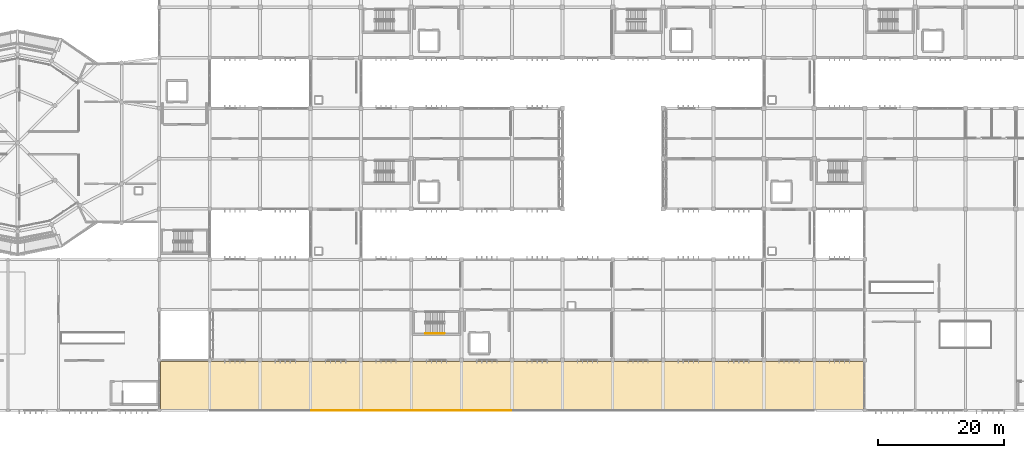
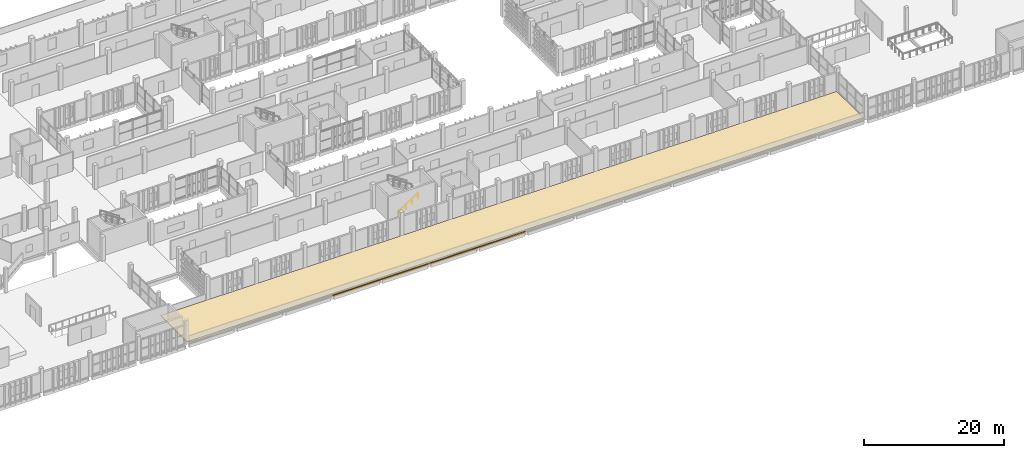
# One storey, part 130 of 137: 3 coverings, 1 railing.
"""IFC4 building model written with IfcOpenShell, lengths in metres."""

from ifc_helpers import new_model, si_unit, direction, frame, origin, origin_2d, place, context, subcontext, project, spatial, polyline, rectangle, circle, outline, extrude, material, layer, layer_set, type_object, element, save


model = new_model("IFC4")

# Units and contexts
model_context = context("Model", 3, precision=1e-05, world=origin(), true_north=direction((0.0, 1.0)))
body_context = subcontext(model_context, "Body", "Model", "MODEL_VIEW")
ifc_project = project(units=[si_unit("LENGTHUNIT", "METRE"), si_unit("AREAUNIT", "SQUARE_METRE"), si_unit("VOLUMEUNIT", "CUBIC_METRE"), si_unit("PLANEANGLEUNIT", "RADIAN"), si_unit("MASSUNIT", "GRAM", prefix="KILO")], contexts=[model_context])

# Site, building, storey
site_placement = place(None, origin())
site = spatial("IfcSite", under=ifc_project, at=site_placement, CompositionType="ELEMENT")
building_placement = place(site_placement, origin())
building = spatial("IfcBuilding", under=site, at=building_placement, Name="Jelvoka-Kovrelna Polytechnic", CompositionType="ELEMENT")
storey_placement = place(building_placement, frame((0.0, 0.0, 9.60009765625)))
storey = spatial("IfcBuildingStorey", under=building, at=storey_placement, Name="L03", CompositionType="ELEMENT", Elevation=9.60009765625)

# Coverings
ifc_material_1 = material(Name="Anodised aluminium architectural fascia cladding", Category="aluminium")
ifc_layer_1 = layer(ifc_material_1, 0.0400390625)
ifc_layer_set_1 = layer_set([ifc_layer_1], Name="Anodised aluminium architectural fascia cladding")
covering_type_1 = type_object("IfcCoveringType", Name="Covering_Fascia_Cladding_40", PredefinedType="CLADDING", material=ifc_layer_set_1)
for number, where, z_axis, x_axis, name in (
    (1, (80.0, 0.0, -0.205078125), (0.0, 0.0, 1.0), (1.0, 0.0, 0.0), "L03 colonnade eave anodised fascia cladding 02"),
    (2, (96.0, 0.0, -0.205078125), (0.0, 0.0, 1.0), (1.0, 0.0, 0.0), "L03 colonnade eave anodised fascia cladding 03"),
):
    element("IfcCovering", number, at=place(storey_placement, frame(where, z_axis=z_axis, x_axis=x_axis)), inside=storey, type_object=covering_type_1, Name=name, PredefinedType="CLADDING", context=body_context, shape_type="SweptSolid", body=[
        extrude(rectangle(XDim=15.800048828125, YDim=0.0400390625, at=origin_2d()), origin(), (0.0, 0.0, 1.0), 0.219970703125),
    ])
ifc_material_2 = material(Name="Insulated elastomeric waterproofing membrane")
ifc_layer_2 = layer(ifc_material_2, 0.080078125)
ifc_layer_set_2 = layer_set([ifc_layer_2], Name="Insulated elastomeric waterproofing membrane")
covering_type_2 = type_object("IfcCoveringType", Name="Covering_Roof_Membrane_80", PredefinedType="ROOFING", material=ifc_layer_set_2)
covering_placement = place(storey_placement, origin())
element("IfcCovering", 3, at=covering_placement, inside=storey, type_object=covering_type_2, Name="L03 insulated roof membrane COV-ROOF-L03-V6S", PredefinedType="ROOFING", context=body_context, shape_type="SweptSolid", body=[
    extrude(outline(polyline([(48.199951171875, 0.199951171875), (159.800048828125, 0.199951171875), (159.800048828125, 7.800048828125), (48.199951171875, 7.800048828125), (48.199951171875, 0.199951171875)])), origin(), (0.0, 0.0, 1.0), 0.079833984375),
])

# Railing
ifc_material_3 = material(Name="Brushed stainless steel handrail", Category="steel")
railing_type = type_object("IfcRailingType", Name="Railing_Stair_Handrail_900", PredefinedType="HANDRAIL", material=ifc_material_3)
railing_placement = place(storey_placement, frame((90.25, 12.25, 0.1748046875)))
element("IfcRailing", 4, at=railing_placement, inside=storey, type_object=railing_type, Name="L03 ST06 stair handrail 1", PredefinedType="HANDRAIL", context=body_context, shape_type="SweptSolid", body=[
    extrude(circle(Radius=0.02392578125, at=origin_2d()), frame((0.0, 0.0, 0.8759765625), z_axis=(0.84364746871, 0.0, 0.536897521451), x_axis=(0.0, 1.0, 0.0)), (0.0, 0.0, 1.0), 3.58544921875),
    extrude(circle(Radius=0.02099609375, at=origin_2d()), origin(), (0.0, 0.0, 1.0), 0.851806640625),
    extrude(circle(Radius=0.02099609375, at=origin_2d()), frame((1.00830078125, 0.0, 0.6416015625)), (0.0, 0.0, 1.0), 0.851806640625),
    extrude(circle(Radius=0.02099609375, at=origin_2d()), frame((2.0166015625, 0.0, 1.283447265625)), (0.0, 0.0, 1.0), 0.851806640625),
    extrude(circle(Radius=0.02099609375, at=origin_2d()), frame((3.02490234375, 0.0, 1.925048828125)), (0.0, 0.0, 1.0), 0.851806640625),
])

save(model, "model.ifc")
